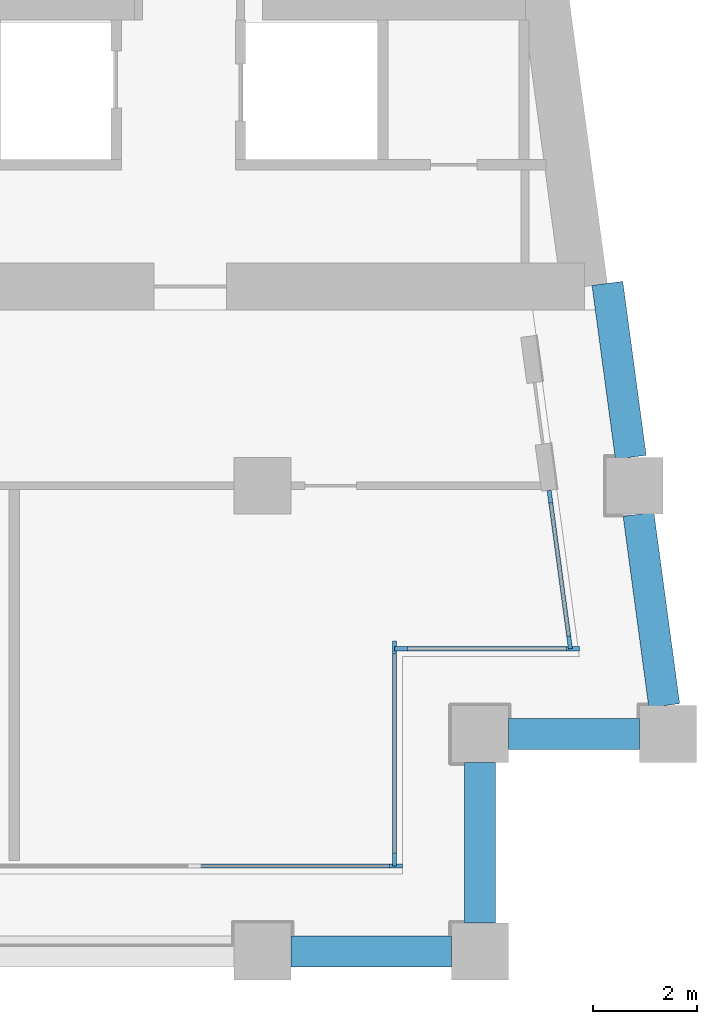
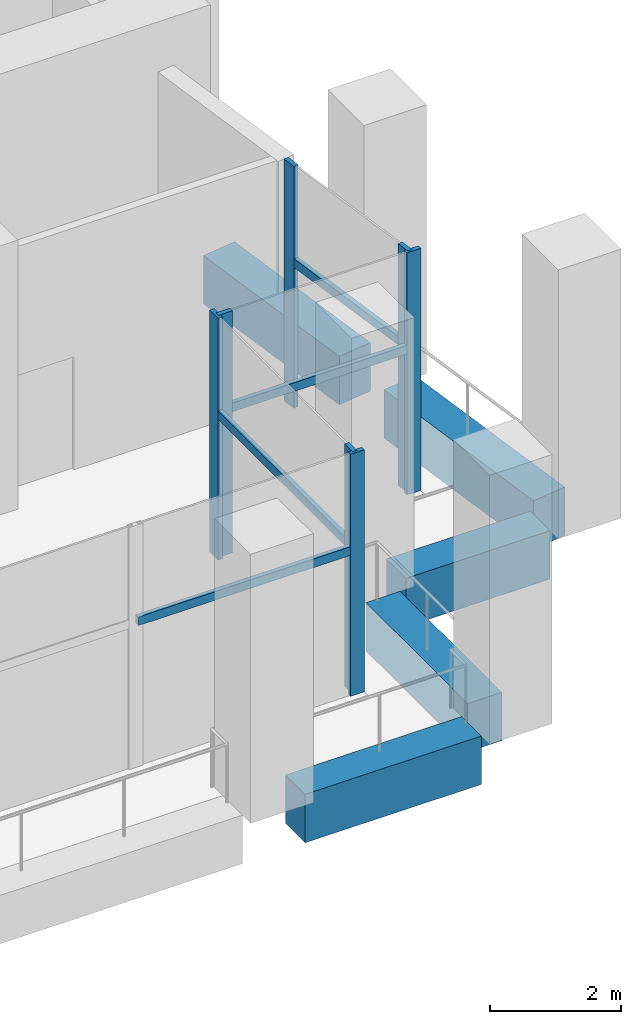
# One storey, part 3 of 16: 11 members, 5 beams, 4 elements without a shape of their own.
"""IFC4 building model written with IfcOpenShell, lengths in metres."""

from ifc_helpers import new_model, si_unit, direction, frame, origin, origin_2d, place, context, subcontext, project, spatial, rectangle, extrude, material, material_profile, profile_set, type_object, element, aggregate, save


model = new_model("IFC4")

# Units and contexts
model_context = context("Model", 3, precision=1e-05, world=origin(), true_north=direction((0.0, 1.0)))
body_context = subcontext(model_context, "Body", "Model", "MODEL_VIEW")
ifc_project = project(units=[si_unit("LENGTHUNIT", "METRE"), si_unit("AREAUNIT", "SQUARE_METRE"), si_unit("VOLUMEUNIT", "CUBIC_METRE"), si_unit("PLANEANGLEUNIT", "RADIAN"), si_unit("MASSUNIT", "GRAM", prefix="KILO")], contexts=[model_context])

# Site, building, storey
site_placement = place(None, origin())
site = spatial("IfcSite", under=ifc_project, at=site_placement, CompositionType="ELEMENT")
building_placement = place(site_placement, origin())
building = spatial("IfcBuilding", under=site, at=building_placement, Name="Candeia Pilgrim Tower and Theatre", CompositionType="ELEMENT")
storey_placement = place(building_placement, frame((0.0, 0.0, 192.199951171875)))
storey = spatial("IfcBuildingStorey", under=building, at=storey_placement, Name="L46", CompositionType="ELEMENT", Elevation=192.199951171875)

# Curtain wall, member
ifc_material_1 = material(Name="Aluminium framed sky lobby glazing", Category="aluminium")
curtain_wall_type = type_object("IfcCurtainWallType", Name="CW-S curtain wall", PredefinedType="NOTDEFINED", material=ifc_material_1)
curtain_wall_1_placement = place(storey_placement, origin())
curtain_wall_1 = element("IfcCurtainWall", 1, at=curtain_wall_1_placement, inside=storey, type_object=curtain_wall_type, Name="Curtain wall CW-S L46.002", PredefinedType="NOTDEFINED")
ifc_material_2 = material(Name="Anodised aluminium", Category="aluminium")
ifc_material_profile_1 = material_profile(ifc_material_2, rectangle(XDim=0.080078125, YDim=0.25, at=origin_2d()))
ifc_profile_set_1 = profile_set([ifc_material_profile_1], Name="Anodised aluminium")
member_type_1 = type_object("IfcMemberType", Name="CW-S mullion 80x250", PredefinedType="MULLION", material=ifc_profile_set_1)
member_1_placement = place(storey_placement, frame((136.97509765625, 99.64990234375, 0.0), z_axis=(0.0, 0.0, 1.0), x_axis=(0.0, 1.0, 0.0)))
member_1 = element("IfcMember", 2, at=member_1_placement, type_object=member_type_1, Name="CW-S mullion 6", PredefinedType="MULLION", context=body_context, shape_type="SweptSolid", body=[
    extrude(rectangle(XDim=0.080078125, YDim=0.25, at=origin_2d()), origin(), (0.0, 0.0, 1.0), 4.5),
])

# Curtain wall, members
curtain_wall_2_placement = place(storey_placement, origin())
curtain_wall_2 = element("IfcCurtainWall", 3, at=curtain_wall_2_placement, inside=storey, type_object=curtain_wall_type, Name="Curtain wall CW-S L46.100", PredefinedType="NOTDEFINED")
member_2_placement = place(storey_placement, frame((136.949951171875, 99.77490234375, 0.0), z_axis=(0.0, 0.0, 1.0), x_axis=(-1.0, 0.0, 0.0)))
member_2 = element("IfcMember", 4, at=member_2_placement, type_object=member_type_1, Name="CW-S mullion 1", PredefinedType="MULLION", context=body_context, shape_type="SweptSolid", body=[
    extrude(rectangle(XDim=0.080078125, YDim=0.25, at=origin_2d()), origin(), (0.0, 0.0, 1.0), 4.5),
])
member_3_placement = place(storey_placement, frame((136.949951171875, 103.875, 0.0), z_axis=(0.0, 0.0, 1.0), x_axis=(-1.0, 0.0, 0.0)))
member_3 = element("IfcMember", 5, at=member_3_placement, type_object=member_type_1, Name="CW-S mullion 2", PredefinedType="MULLION", context=body_context, shape_type="SweptSolid", body=[
    extrude(rectangle(XDim=0.080078125, YDim=0.25, at=origin_2d()), origin(), (0.0, 0.0, 1.0), 4.5),
])

curtain_wall_3_placement = place(storey_placement, origin())
curtain_wall_3 = element("IfcCurtainWall", 6, at=curtain_wall_3_placement, inside=storey, type_object=curtain_wall_type, Name="Curtain wall CW-S L46.200", PredefinedType="NOTDEFINED")
member_4_placement = place(storey_placement, frame((137.074951171875, 103.85009765625, 0.0), z_axis=(0.0, 0.0, 1.0), x_axis=(0.0, 1.0, 0.0)))
member_4 = element("IfcMember", 7, at=member_4_placement, type_object=member_type_1, Name="CW-S mullion 1", PredefinedType="MULLION", context=body_context, shape_type="SweptSolid", body=[
    extrude(rectangle(XDim=0.080078125, YDim=0.25, at=origin_2d()), origin(), (0.0, 0.0, 1.0), 4.5),
])
member_5_placement = place(storey_placement, frame((140.39404296875, 103.85009765625, 0.0), z_axis=(0.0, 0.0, 1.0), x_axis=(0.0, 1.0, 0.0)))
member_5 = element("IfcMember", 8, at=member_5_placement, type_object=member_type_1, Name="CW-S mullion 2", PredefinedType="MULLION", context=body_context, shape_type="SweptSolid", body=[
    extrude(rectangle(XDim=0.080078125, YDim=0.25, at=origin_2d()), origin(), (0.0, 0.0, 1.0), 4.5),
])

curtain_wall_4_placement = place(storey_placement, origin())
curtain_wall_4 = element("IfcCurtainWall", 9, at=curtain_wall_4_placement, inside=storey, type_object=curtain_wall_type, Name="Curtain wall CW-S L46.300", PredefinedType="NOTDEFINED")
member_6_placement = place(storey_placement, frame((140.3310546875, 103.973876953125, 0.0), z_axis=(0.0, 0.0, 1.0), x_axis=(-0.991060661622, -0.133412012145, 0.0)))
member_6 = element("IfcMember", 10, at=member_6_placement, type_object=member_type_1, Name="CW-S mullion 1", PredefinedType="MULLION", context=body_context, shape_type="SweptSolid", body=[
    extrude(rectangle(XDim=0.080078125, YDim=0.25, at=origin_2d()), origin(), (0.0, 0.0, 1.0), 4.5),
])
member_7_placement = place(storey_placement, frame((139.951904296875, 106.78955078125, 0.0), z_axis=(0.0, 0.0, 1.0), x_axis=(-0.991060661622, -0.133412012145, 0.0)))
member_7 = element("IfcMember", 11, at=member_7_placement, type_object=member_type_1, Name="CW-S mullion 2", PredefinedType="MULLION", context=body_context, shape_type="SweptSolid", body=[
    extrude(rectangle(XDim=0.080078125, YDim=0.25, at=origin_2d()), origin(), (0.0, 0.0, 1.0), 4.5),
])

# Member
ifc_material_profile_2 = material_profile(ifc_material_2, rectangle(XDim=0.080078125, YDim=0.159912109375, at=origin_2d()))
ifc_profile_set_2 = profile_set([ifc_material_profile_2], Name="Anodised aluminium")
member_type_2 = type_object("IfcMemberType", Name="CW-S transom 80x160", PredefinedType="USERDEFINED", material=ifc_profile_set_2)
member_8_placement = place(storey_placement, frame((133.1201171875, 99.64990234375, 2.699951171875), z_axis=(1.0, 0.0, 0.0), x_axis=(0.0, 1.0, 0.0)))
member_8 = element("IfcMember", 12, at=member_8_placement, type_object=member_type_2, Name="CW-S transom 5.1", ObjectType="TRANSOM", PredefinedType="USERDEFINED", context=body_context, shape_type="SweptSolid", body=[
    extrude(rectangle(XDim=0.080078125, YDim=0.159912109375, at=origin_2d()), origin(), (0.0, 0.0, 1.0), 3.81494140625),
])

aggregate(curtain_wall_1, [member_1, member_8])

member_9_placement = place(storey_placement, frame((136.949951171875, 99.81494140625, 2.699951171875), z_axis=(0.0, 1.0, 0.0), x_axis=(-1.0, 0.0, 0.0)))
member_9 = element("IfcMember", 13, at=member_9_placement, type_object=member_type_2, Name="CW-S transom 1.1", ObjectType="TRANSOM", PredefinedType="USERDEFINED", context=body_context, shape_type="SweptSolid", body=[
    extrude(rectangle(XDim=0.080078125, YDim=0.159912109375, at=origin_2d()), origin(), (0.0, 0.0, 1.0), 4.02001953125),
])

aggregate(curtain_wall_2, [member_2, member_3, member_9])

member_10_placement = place(storey_placement, frame((137.114990234375, 103.85009765625, 2.699951171875), z_axis=(1.0, 0.0, 0.0), x_axis=(0.0, 1.0, 0.0)))
member_10 = element("IfcMember", 14, at=member_10_placement, type_object=member_type_2, Name="CW-S transom 1.1", ObjectType="TRANSOM", PredefinedType="USERDEFINED", context=body_context, shape_type="SweptSolid", body=[
    extrude(rectangle(XDim=0.080078125, YDim=0.159912109375, at=origin_2d()), origin(), (0.0, 0.0, 1.0), 3.2392578125),
])

aggregate(curtain_wall_3, [member_4, member_5, member_10])

member_11_placement = place(storey_placement, frame((140.32568359375, 104.013427734375, 2.699951171875), z_axis=(-0.133420362397, 0.991059537514, 0.0), x_axis=(-0.991059537514, -0.133420362397, 0.0)))
member_11 = element("IfcMember", 15, at=member_11_placement, type_object=member_type_2, Name="CW-S transom 1.1", ObjectType="TRANSOM", PredefinedType="USERDEFINED", context=body_context, shape_type="SweptSolid", body=[
    extrude(rectangle(XDim=0.080078125, YDim=0.159912109375, at=origin_2d()), origin(), (0.0, 0.0, 1.0), 2.76123046875),
])

aggregate(curtain_wall_4, [member_6, member_7, member_11])

# Beams
ifc_material_3 = material(Name="Concrete C60/75", Category="concrete")
ifc_material_profile_3 = material_profile(ifc_material_3, rectangle(XDim=0.60009765625, YDim=0.89990234375, at=origin_2d()))
ifc_profile_set_3 = profile_set([ifc_material_profile_3], Name="Concrete C60/75")
beam_type = type_object("IfcBeamType", Name="RC 600x900 C60/75", PredefinedType="BEAM", material=ifc_profile_set_3)
beam_1_placement = place(storey_placement, frame((134.949951171875, 98.0, -0.449951171875), z_axis=(1.0, 0.0, 0.0), x_axis=(0.0, 1.0, 0.0)))
element("IfcBeam", 16, at=beam_1_placement, inside=storey, type_object=beam_type, Name="Spandrel beam L46-07", PredefinedType="BEAM", context=body_context, shape_type="SweptSolid", body=[
    extrude(rectangle(XDim=0.60009765625, YDim=0.89990234375, at=origin_2d()), origin(), (0.0, 0.0, 1.0), 3.10009765625),
])
beam_2_placement = place(storey_placement, frame((138.60009765625, 98.550048828125, -0.449951171875), z_axis=(0.0, 1.0, 0.0), x_axis=(-1.0, 0.0, 0.0)))
element("IfcBeam", 17, at=beam_2_placement, inside=storey, type_object=beam_type, Name="Spandrel beam L46-08", PredefinedType="BEAM", context=body_context, shape_type="SweptSolid", body=[
    extrude(rectangle(XDim=0.60009765625, YDim=0.89990234375, at=origin_2d()), origin(), (0.0, 0.0, 1.0), 3.099853515625),
])
beam_3_placement = place(storey_placement, frame((139.14990234375, 102.199951171875, -0.449951171875), z_axis=(1.0, 0.0, 0.0), x_axis=(0.0, 1.0, 0.0)))
element("IfcBeam", 18, at=beam_3_placement, inside=storey, type_object=beam_type, Name="Spandrel beam L46-09", PredefinedType="BEAM", context=body_context, shape_type="SweptSolid", body=[
    extrude(rectangle(XDim=0.60009765625, YDim=0.89990234375, at=origin_2d()), origin(), (0.0, 0.0, 1.0), 2.53466796875),
])
beam_4_placement = place(storey_placement, frame((142.16064453125, 102.75, -0.449951171875), z_axis=(-0.133405836075, 0.991061492997, 0.0), x_axis=(-0.991061492997, -0.133405836075, 0.0)))
element("IfcBeam", 19, at=beam_4_placement, inside=storey, type_object=beam_type, Name="Spandrel beam L46-10", PredefinedType="BEAM", context=body_context, shape_type="SweptSolid", body=[
    extrude(rectangle(XDim=0.60009765625, YDim=0.89990234375, at=origin_2d()), origin(), (0.0, 0.0, 1.0), 3.7333984375),
])
beam_5_placement = place(storey_placement, frame((141.514404296875, 107.550048828125, -0.449951171875), z_axis=(-0.133432414187, 0.99105791498, 0.0), x_axis=(-0.99105791498, -0.133432414187, 0.0)))
element("IfcBeam", 20, at=beam_5_placement, inside=storey, type_object=beam_type, Name="Spandrel beam L46-11", PredefinedType="BEAM", context=body_context, shape_type="SweptSolid", body=[
    extrude(rectangle(XDim=0.60009765625, YDim=0.89990234375, at=origin_2d()), origin(), (0.0, 0.0, 1.0), 3.390380859375),
])

save(model, "model.ifc")
